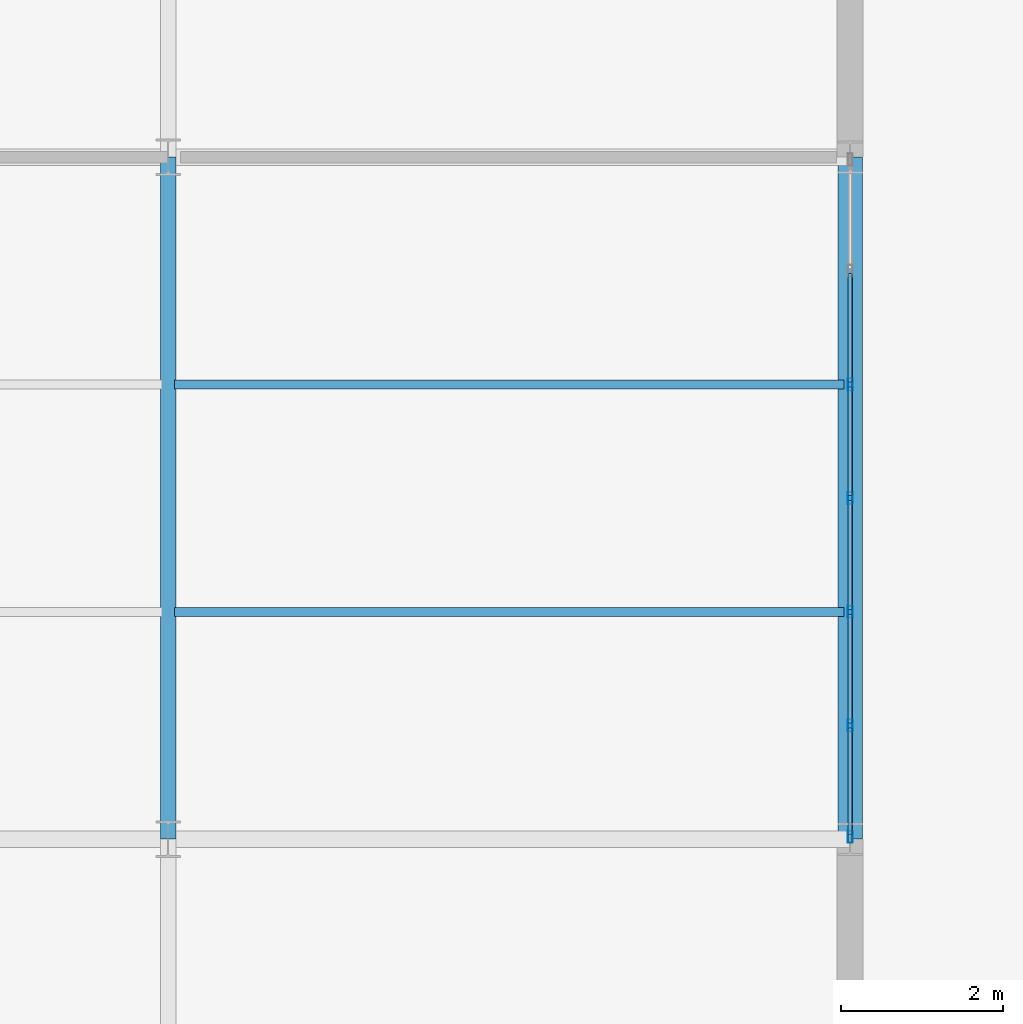
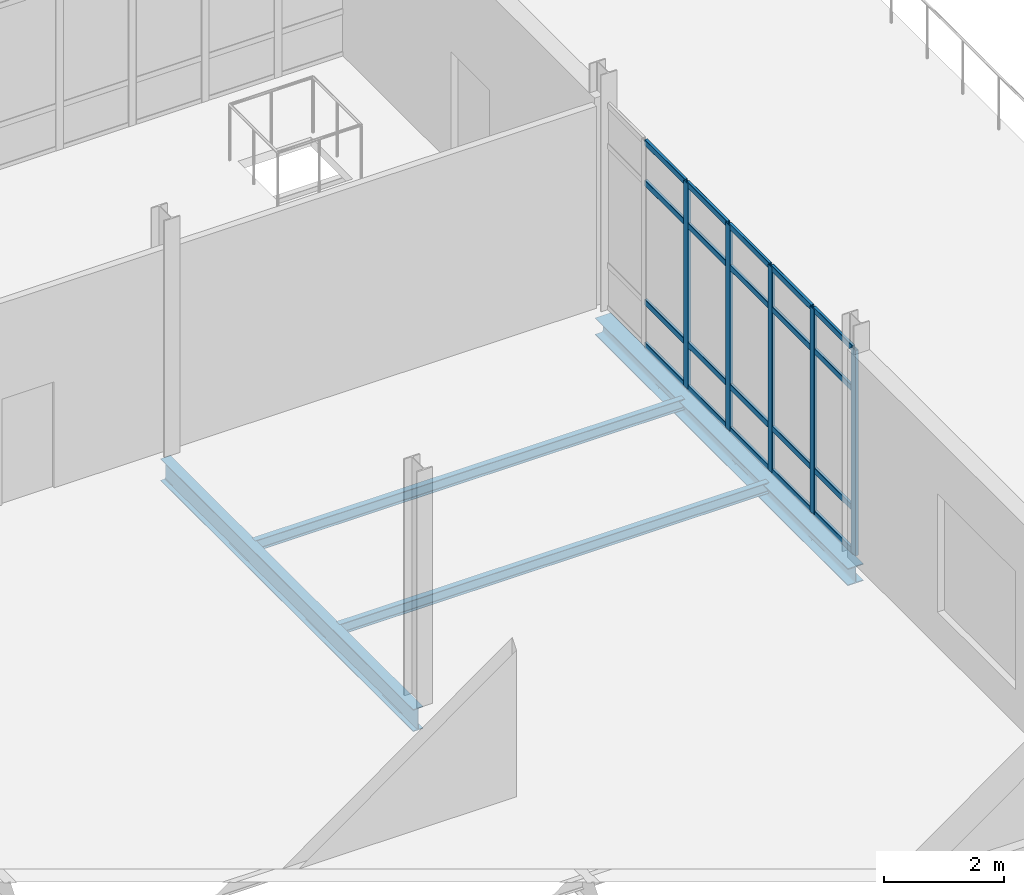
# One storey, part 14 of 28: 25 members, 4 beams, 1 element without a shape of its own.
"""IFC4 building model written with IfcOpenShell, lengths in metres."""

from ifc_helpers import new_model, si_unit, direction, frame, origin, origin_2d, place, context, subcontext, project, spatial, hollow_rectangle, i_section, extrude, material, layer, layer_set, material_profile, profile_set, type_object, element, aggregate, save


model = new_model("IFC4")

# Units and contexts
model_context = context("Model", 3, precision=1e-05, world=origin(), true_north=direction((0.0, 1.0)))
body_context = subcontext(model_context, "Body", "Model", "MODEL_VIEW")
ifc_project = project(units=[si_unit("LENGTHUNIT", "METRE"), si_unit("AREAUNIT", "SQUARE_METRE"), si_unit("VOLUMEUNIT", "CUBIC_METRE"), si_unit("PLANEANGLEUNIT", "RADIAN"), si_unit("MASSUNIT", "GRAM", prefix="KILO")], contexts=[model_context])

# Site, building, storey
site_placement = place(None, origin())
site = spatial("IfcSite", under=ifc_project, at=site_placement, CompositionType="ELEMENT")
building_placement = place(site_placement, origin())
building = spatial("IfcBuilding", under=site, at=building_placement, Name="Qalvenar Corner Mobility Hub", CompositionType="ELEMENT")
storey_placement = place(building_placement, frame((0.0, 0.0, 21.60009765625)))
storey = spatial("IfcBuildingStorey", under=building, at=storey_placement, Name="L05", CompositionType="ELEMENT", Elevation=21.60009765625)

# Beams
ifc_material_1 = material(Name="Steel S355", Category="steel")
ifc_material_profile_1 = material_profile(ifc_material_1, i_section(OverallWidth=0.18994140625, OverallDepth=0.449951171875, WebThickness=0.009521484375, FlangeThickness=0.0146484375, FilletRadius=0.02099609375, at=origin_2d()), Name="IPE450")
ifc_profile_set_1 = profile_set([ifc_material_profile_1], Name="Steel S355")
beam_type_1 = type_object("IfcBeamType", Name="BM-IPE450", PredefinedType="BEAM", material=ifc_profile_set_1)
beam_1_placement = place(storey_placement, frame((33.60009765625, 25.199951171875, -0.405029296875), z_axis=(0.0, 1.0, 0.0), x_axis=(-1.0, 0.0, 0.0)))
element("IfcBeam", 1, at=beam_1_placement, inside=storey, type_object=beam_type_1, Name="Primary Steel Girder GY-2998", PredefinedType="BEAM", context=body_context, shape_type="SweptSolid", body=[
    extrude(i_section(OverallWidth=0.18994140625, OverallDepth=0.449951171875, WebThickness=0.009521484375, FlangeThickness=0.0146484375, FilletRadius=0.02099609375, at=origin_2d()), origin(), (0.0, 0.0, 1.0), 8.400146484375),
])
ifc_material_profile_2 = material_profile(ifc_material_1, i_section(OverallWidth=0.110107421875, OverallDepth=0.219970703125, WebThickness=0.005859375, FlangeThickness=0.00927734375, FilletRadius=0.011962890625, at=origin_2d()), Name="IPE220")
ifc_profile_set_2 = profile_set([ifc_material_profile_2], Name="Steel S355")
beam_type_2 = type_object("IfcBeamType", Name="BM-JST220", PredefinedType="JOIST", material=ifc_profile_set_2)
for number, where, z_axis, x_axis, name in (
    (2, (33.677978515625, 28.0, -0.2900390625), (1.0, 0.0, 0.0), (0.0, 1.0, 0.0), "Composite Floor Joist J-3048"),
    (3, (33.677978515625, 30.800048828125, -0.2900390625), (1.0, 0.0, 0.0), (0.0, 1.0, 0.0), "Composite Floor Joist J-3049"),
):
    element("IfcBeam", number, at=place(storey_placement, frame(where, z_axis=z_axis, x_axis=x_axis)), inside=storey, type_object=beam_type_2, Name=name, PredefinedType="JOIST", context=body_context, shape_type="SweptSolid", body=[
        extrude(i_section(OverallWidth=0.110107421875, OverallDepth=0.219970703125, WebThickness=0.005859375, FlangeThickness=0.00927734375, FilletRadius=0.011962890625, at=origin_2d()), origin(), (0.0, 0.0, 1.0), 8.244140625),
    ])
ifc_material_profile_3 = material_profile(ifc_material_1, i_section(OverallWidth=0.300048828125, OverallDepth=0.35009765625, WebThickness=0.010009765625, FlangeThickness=0.017578125, FilletRadius=0.027099609375, at=origin_2d()), Name="HEA360")
ifc_profile_set_3 = profile_set([ifc_material_profile_3], Name="Steel S355")
beam_type_3 = type_object("IfcBeamType", Name="BM-SPN360", PredefinedType="SPANDREL", material=ifc_profile_set_3)
beam_2_placement = place(storey_placement, frame((42.0, 25.199951171875, -0.4169921875), z_axis=(0.0, 1.0, 0.0), x_axis=(-1.0, 0.0, 0.0)))
element("IfcBeam", 4, at=beam_2_placement, inside=storey, type_object=beam_type_3, Name="Primary Steel Girder GY-3003", PredefinedType="SPANDREL", context=body_context, shape_type="SweptSolid", body=[
    extrude(i_section(OverallWidth=0.300048828125, OverallDepth=0.35009765625, WebThickness=0.010009765625, FlangeThickness=0.017578125, FilletRadius=0.027099609375, at=origin_2d()), origin(), (0.0, 0.0, 1.0), 8.400146484375),
])

# Curtain wall, members
ifc_material_2 = material(Name="Anodised Aluminium and Low-E Glazing", Category="aluminium")
ifc_layer = layer(ifc_material_2, 0.14990234375)
ifc_layer_set = layer_set([ifc_layer], Name="Anodised Aluminium and Low-E Glazing")
curtain_wall_type = type_object("IfcCurtainWallType", Name="CW-SPT-84X44", PredefinedType="NOTDEFINED", material=ifc_layer_set)
curtain_wall_placement = place(storey_placement, origin())
curtain_wall = element("IfcCurtainWall", 5, at=curtain_wall_placement, inside=storey, type_object=curtain_wall_type, Name="Glazed Curtain Wall CW-V3-L05-E3", PredefinedType="NOTDEFINED")
ifc_material_3 = material(Name="Anodised Aluminium 6063-T6", Category="aluminium")
ifc_material_profile_4 = material_profile(ifc_material_3, hollow_rectangle(XDim=0.06005859375, YDim=0.14990234375, WallThickness=0.00390625, InnerFilletRadius=0.00390625, OuterFilletRadius=0.008056640625, at=origin_2d()), Name="RHS150x60x4")
ifc_profile_set_4 = profile_set([ifc_material_profile_4], Name="Anodised Aluminium 6063-T6")
member_type_1 = type_object("IfcMemberType", Name="CW-MUL150", PredefinedType="MULLION", material=ifc_profile_set_4)
member_1_placement = place(storey_placement, frame((42.0, 25.22998046875, 0.0), z_axis=(0.0, 0.0, 1.0), x_axis=(-1.0, 0.0, 0.0)))
member_1 = element("IfcMember", 6, at=member_1_placement, type_object=member_type_1, Name="CW-06 mullion 1", PredefinedType="MULLION", context=body_context, shape_type="SweptSolid", body=[
    extrude(hollow_rectangle(XDim=0.06005859375, YDim=0.14990234375, WallThickness=0.00390625, InnerFilletRadius=0.00390625, OuterFilletRadius=0.008056640625, at=origin_2d()), origin(), (0.0, 0.0, 1.0), 4.169921875),
])
member_2_placement = place(storey_placement, frame((42.0, 26.60009765625, 0.0), z_axis=(0.0, 0.0, 1.0), x_axis=(-1.0, 0.0, 0.0)))
member_2 = element("IfcMember", 7, at=member_2_placement, type_object=member_type_1, Name="CW-06 mullion 2", PredefinedType="MULLION", context=body_context, shape_type="SweptSolid", body=[
    extrude(hollow_rectangle(XDim=0.06005859375, YDim=0.14990234375, WallThickness=0.00390625, InnerFilletRadius=0.00390625, OuterFilletRadius=0.008056640625, at=origin_2d()), origin(), (0.0, 0.0, 1.0), 4.169921875),
])
member_3_placement = place(storey_placement, frame((42.0, 28.0, 0.0), z_axis=(0.0, 0.0, 1.0), x_axis=(-1.0, 0.0, 0.0)))
member_3 = element("IfcMember", 8, at=member_3_placement, type_object=member_type_1, Name="CW-06 mullion 3", PredefinedType="MULLION", context=body_context, shape_type="SweptSolid", body=[
    extrude(hollow_rectangle(XDim=0.06005859375, YDim=0.14990234375, WallThickness=0.00390625, InnerFilletRadius=0.00390625, OuterFilletRadius=0.008056640625, at=origin_2d()), origin(), (0.0, 0.0, 1.0), 4.169921875),
])
member_4_placement = place(storey_placement, frame((42.0, 29.39990234375, 0.0), z_axis=(0.0, 0.0, 1.0), x_axis=(-1.0, 0.0, 0.0)))
member_4 = element("IfcMember", 9, at=member_4_placement, type_object=member_type_1, Name="CW-06 mullion 4", PredefinedType="MULLION", context=body_context, shape_type="SweptSolid", body=[
    extrude(hollow_rectangle(XDim=0.06005859375, YDim=0.14990234375, WallThickness=0.00390625, InnerFilletRadius=0.00390625, OuterFilletRadius=0.008056640625, at=origin_2d()), origin(), (0.0, 0.0, 1.0), 4.169921875),
])
member_5_placement = place(storey_placement, frame((42.0, 30.800048828125, 0.0), z_axis=(0.0, 0.0, 1.0), x_axis=(-1.0, 0.0, 0.0)))
member_5 = element("IfcMember", 10, at=member_5_placement, type_object=member_type_1, Name="CW-06 mullion 5", PredefinedType="MULLION", context=body_context, shape_type="SweptSolid", body=[
    extrude(hollow_rectangle(XDim=0.06005859375, YDim=0.14990234375, WallThickness=0.00390625, InnerFilletRadius=0.00390625, OuterFilletRadius=0.008056640625, at=origin_2d()), origin(), (0.0, 0.0, 1.0), 4.169921875),
])
ifc_material_profile_5 = material_profile(ifc_material_3, hollow_rectangle(XDim=0.054931640625, YDim=0.1201171875, WallThickness=0.00341796875, InnerFilletRadius=0.00341796875, OuterFilletRadius=0.007080078125, at=origin_2d()), Name="RHS120x55x3.5")
ifc_profile_set_5 = profile_set([ifc_material_profile_5], Name="Anodised Aluminium 6063-T6")
member_type_2 = type_object("IfcMemberType", Name="CW-TRN120", PredefinedType="USERDEFINED", material=ifc_profile_set_5)
member_6_placement = place(storey_placement, frame((42.0, 25.260009765625, 0.02734375), z_axis=(0.0, 1.0, 0.0), x_axis=(-1.0, 0.0, 0.0)))
member_6 = element("IfcMember", 11, at=member_6_placement, type_object=member_type_2, Name="CW-06 transom 1.1", ObjectType="TRANSOM", PredefinedType="USERDEFINED", context=body_context, shape_type="SweptSolid", body=[
    extrude(hollow_rectangle(XDim=0.054931640625, YDim=0.1201171875, WallThickness=0.00341796875, InnerFilletRadius=0.00341796875, OuterFilletRadius=0.007080078125, at=origin_2d()), origin(), (0.0, 0.0, 1.0), 1.31005859375),
])
member_7_placement = place(storey_placement, frame((42.0, 25.260009765625, 0.89990234375), z_axis=(0.0, 1.0, 0.0), x_axis=(-1.0, 0.0, 0.0)))
member_7 = element("IfcMember", 12, at=member_7_placement, type_object=member_type_2, Name="CW-06 transom 1.2", ObjectType="TRANSOM", PredefinedType="USERDEFINED", context=body_context, shape_type="SweptSolid", body=[
    extrude(hollow_rectangle(XDim=0.054931640625, YDim=0.1201171875, WallThickness=0.00341796875, InnerFilletRadius=0.00341796875, OuterFilletRadius=0.007080078125, at=origin_2d()), origin(), (0.0, 0.0, 1.0), 1.31005859375),
])
member_8_placement = place(storey_placement, frame((42.0, 25.260009765625, 3.31982421875), z_axis=(0.0, 1.0, 0.0), x_axis=(-1.0, 0.0, 0.0)))
member_8 = element("IfcMember", 13, at=member_8_placement, type_object=member_type_2, Name="CW-06 transom 1.3", ObjectType="TRANSOM", PredefinedType="USERDEFINED", context=body_context, shape_type="SweptSolid", body=[
    extrude(hollow_rectangle(XDim=0.054931640625, YDim=0.1201171875, WallThickness=0.00341796875, InnerFilletRadius=0.00341796875, OuterFilletRadius=0.007080078125, at=origin_2d()), origin(), (0.0, 0.0, 1.0), 1.31005859375),
])
member_9_placement = place(storey_placement, frame((42.0, 25.260009765625, 4.142333984375), z_axis=(0.0, 1.0, 0.0), x_axis=(-1.0, 0.0, 0.0)))
member_9 = element("IfcMember", 14, at=member_9_placement, type_object=member_type_2, Name="CW-06 transom 1.4", ObjectType="TRANSOM", PredefinedType="USERDEFINED", context=body_context, shape_type="SweptSolid", body=[
    extrude(hollow_rectangle(XDim=0.054931640625, YDim=0.1201171875, WallThickness=0.00341796875, InnerFilletRadius=0.00341796875, OuterFilletRadius=0.007080078125, at=origin_2d()), origin(), (0.0, 0.0, 1.0), 1.31005859375),
])
member_10_placement = place(storey_placement, frame((42.0, 26.6298828125, 0.02734375), z_axis=(0.0, 1.0, 0.0), x_axis=(-1.0, 0.0, 0.0)))
member_10 = element("IfcMember", 15, at=member_10_placement, type_object=member_type_2, Name="CW-06 transom 2.1", ObjectType="TRANSOM", PredefinedType="USERDEFINED", context=body_context, shape_type="SweptSolid", body=[
    extrude(hollow_rectangle(XDim=0.054931640625, YDim=0.1201171875, WallThickness=0.00341796875, InnerFilletRadius=0.00341796875, OuterFilletRadius=0.007080078125, at=origin_2d()), origin(), (0.0, 0.0, 1.0), 1.340087890625),
])
member_11_placement = place(storey_placement, frame((42.0, 26.6298828125, 0.89990234375), z_axis=(0.0, 1.0, 0.0), x_axis=(-1.0, 0.0, 0.0)))
member_11 = element("IfcMember", 16, at=member_11_placement, type_object=member_type_2, Name="CW-06 transom 2.2", ObjectType="TRANSOM", PredefinedType="USERDEFINED", context=body_context, shape_type="SweptSolid", body=[
    extrude(hollow_rectangle(XDim=0.054931640625, YDim=0.1201171875, WallThickness=0.00341796875, InnerFilletRadius=0.00341796875, OuterFilletRadius=0.007080078125, at=origin_2d()), origin(), (0.0, 0.0, 1.0), 1.340087890625),
])
member_12_placement = place(storey_placement, frame((42.0, 26.6298828125, 3.31982421875), z_axis=(0.0, 1.0, 0.0), x_axis=(-1.0, 0.0, 0.0)))
member_12 = element("IfcMember", 17, at=member_12_placement, type_object=member_type_2, Name="CW-06 transom 2.3", ObjectType="TRANSOM", PredefinedType="USERDEFINED", context=body_context, shape_type="SweptSolid", body=[
    extrude(hollow_rectangle(XDim=0.054931640625, YDim=0.1201171875, WallThickness=0.00341796875, InnerFilletRadius=0.00341796875, OuterFilletRadius=0.007080078125, at=origin_2d()), origin(), (0.0, 0.0, 1.0), 1.340087890625),
])
member_13_placement = place(storey_placement, frame((42.0, 26.6298828125, 4.142333984375), z_axis=(0.0, 1.0, 0.0), x_axis=(-1.0, 0.0, 0.0)))
member_13 = element("IfcMember", 18, at=member_13_placement, type_object=member_type_2, Name="CW-06 transom 2.4", ObjectType="TRANSOM", PredefinedType="USERDEFINED", context=body_context, shape_type="SweptSolid", body=[
    extrude(hollow_rectangle(XDim=0.054931640625, YDim=0.1201171875, WallThickness=0.00341796875, InnerFilletRadius=0.00341796875, OuterFilletRadius=0.007080078125, at=origin_2d()), origin(), (0.0, 0.0, 1.0), 1.340087890625),
])
member_14_placement = place(storey_placement, frame((42.0, 28.030029296875, 0.02734375), z_axis=(0.0, 1.0, 0.0), x_axis=(-1.0, 0.0, 0.0)))
member_14 = element("IfcMember", 19, at=member_14_placement, type_object=member_type_2, Name="CW-06 transom 3.1", ObjectType="TRANSOM", PredefinedType="USERDEFINED", context=body_context, shape_type="SweptSolid", body=[
    extrude(hollow_rectangle(XDim=0.054931640625, YDim=0.1201171875, WallThickness=0.00341796875, InnerFilletRadius=0.00341796875, OuterFilletRadius=0.007080078125, at=origin_2d()), origin(), (0.0, 0.0, 1.0), 1.340087890625),
])
member_15_placement = place(storey_placement, frame((42.0, 28.030029296875, 0.89990234375), z_axis=(0.0, 1.0, 0.0), x_axis=(-1.0, 0.0, 0.0)))
member_15 = element("IfcMember", 20, at=member_15_placement, type_object=member_type_2, Name="CW-06 transom 3.2", ObjectType="TRANSOM", PredefinedType="USERDEFINED", context=body_context, shape_type="SweptSolid", body=[
    extrude(hollow_rectangle(XDim=0.054931640625, YDim=0.1201171875, WallThickness=0.00341796875, InnerFilletRadius=0.00341796875, OuterFilletRadius=0.007080078125, at=origin_2d()), origin(), (0.0, 0.0, 1.0), 1.340087890625),
])
member_16_placement = place(storey_placement, frame((42.0, 28.030029296875, 3.31982421875), z_axis=(0.0, 1.0, 0.0), x_axis=(-1.0, 0.0, 0.0)))
member_16 = element("IfcMember", 21, at=member_16_placement, type_object=member_type_2, Name="CW-06 transom 3.3", ObjectType="TRANSOM", PredefinedType="USERDEFINED", context=body_context, shape_type="SweptSolid", body=[
    extrude(hollow_rectangle(XDim=0.054931640625, YDim=0.1201171875, WallThickness=0.00341796875, InnerFilletRadius=0.00341796875, OuterFilletRadius=0.007080078125, at=origin_2d()), origin(), (0.0, 0.0, 1.0), 1.340087890625),
])
member_17_placement = place(storey_placement, frame((42.0, 28.030029296875, 4.142333984375), z_axis=(0.0, 1.0, 0.0), x_axis=(-1.0, 0.0, 0.0)))
member_17 = element("IfcMember", 22, at=member_17_placement, type_object=member_type_2, Name="CW-06 transom 3.4", ObjectType="TRANSOM", PredefinedType="USERDEFINED", context=body_context, shape_type="SweptSolid", body=[
    extrude(hollow_rectangle(XDim=0.054931640625, YDim=0.1201171875, WallThickness=0.00341796875, InnerFilletRadius=0.00341796875, OuterFilletRadius=0.007080078125, at=origin_2d()), origin(), (0.0, 0.0, 1.0), 1.340087890625),
])
member_18_placement = place(storey_placement, frame((42.0, 29.429931640625, 0.02734375), z_axis=(0.0, 1.0, 0.0), x_axis=(-1.0, 0.0, 0.0)))
member_18 = element("IfcMember", 23, at=member_18_placement, type_object=member_type_2, Name="CW-06 transom 4.1", ObjectType="TRANSOM", PredefinedType="USERDEFINED", context=body_context, shape_type="SweptSolid", body=[
    extrude(hollow_rectangle(XDim=0.054931640625, YDim=0.1201171875, WallThickness=0.00341796875, InnerFilletRadius=0.00341796875, OuterFilletRadius=0.007080078125, at=origin_2d()), origin(), (0.0, 0.0, 1.0), 1.340087890625),
])
member_19_placement = place(storey_placement, frame((42.0, 29.429931640625, 0.89990234375), z_axis=(0.0, 1.0, 0.0), x_axis=(-1.0, 0.0, 0.0)))
member_19 = element("IfcMember", 24, at=member_19_placement, type_object=member_type_2, Name="CW-06 transom 4.2", ObjectType="TRANSOM", PredefinedType="USERDEFINED", context=body_context, shape_type="SweptSolid", body=[
    extrude(hollow_rectangle(XDim=0.054931640625, YDim=0.1201171875, WallThickness=0.00341796875, InnerFilletRadius=0.00341796875, OuterFilletRadius=0.007080078125, at=origin_2d()), origin(), (0.0, 0.0, 1.0), 1.340087890625),
])
member_20_placement = place(storey_placement, frame((42.0, 29.429931640625, 3.31982421875), z_axis=(0.0, 1.0, 0.0), x_axis=(-1.0, 0.0, 0.0)))
member_20 = element("IfcMember", 25, at=member_20_placement, type_object=member_type_2, Name="CW-06 transom 4.3", ObjectType="TRANSOM", PredefinedType="USERDEFINED", context=body_context, shape_type="SweptSolid", body=[
    extrude(hollow_rectangle(XDim=0.054931640625, YDim=0.1201171875, WallThickness=0.00341796875, InnerFilletRadius=0.00341796875, OuterFilletRadius=0.007080078125, at=origin_2d()), origin(), (0.0, 0.0, 1.0), 1.340087890625),
])
member_21_placement = place(storey_placement, frame((42.0, 29.429931640625, 4.142333984375), z_axis=(0.0, 1.0, 0.0), x_axis=(-1.0, 0.0, 0.0)))
member_21 = element("IfcMember", 26, at=member_21_placement, type_object=member_type_2, Name="CW-06 transom 4.4", ObjectType="TRANSOM", PredefinedType="USERDEFINED", context=body_context, shape_type="SweptSolid", body=[
    extrude(hollow_rectangle(XDim=0.054931640625, YDim=0.1201171875, WallThickness=0.00341796875, InnerFilletRadius=0.00341796875, OuterFilletRadius=0.007080078125, at=origin_2d()), origin(), (0.0, 0.0, 1.0), 1.340087890625),
])
member_22_placement = place(storey_placement, frame((42.0, 30.830078125, 0.02734375), z_axis=(0.0, 1.0, 0.0), x_axis=(-1.0, 0.0, 0.0)))
member_22 = element("IfcMember", 27, at=member_22_placement, type_object=member_type_2, Name="CW-06 transom 5.1", ObjectType="TRANSOM", PredefinedType="USERDEFINED", context=body_context, shape_type="SweptSolid", body=[
    extrude(hollow_rectangle(XDim=0.054931640625, YDim=0.1201171875, WallThickness=0.00341796875, InnerFilletRadius=0.00341796875, OuterFilletRadius=0.007080078125, at=origin_2d()), origin(), (0.0, 0.0, 1.0), 1.33984375),
])
member_23_placement = place(storey_placement, frame((42.0, 30.830078125, 0.89990234375), z_axis=(0.0, 1.0, 0.0), x_axis=(-1.0, 0.0, 0.0)))
member_23 = element("IfcMember", 28, at=member_23_placement, type_object=member_type_2, Name="CW-06 transom 5.2", ObjectType="TRANSOM", PredefinedType="USERDEFINED", context=body_context, shape_type="SweptSolid", body=[
    extrude(hollow_rectangle(XDim=0.054931640625, YDim=0.1201171875, WallThickness=0.00341796875, InnerFilletRadius=0.00341796875, OuterFilletRadius=0.007080078125, at=origin_2d()), origin(), (0.0, 0.0, 1.0), 1.33984375),
])
member_24_placement = place(storey_placement, frame((42.0, 30.830078125, 3.31982421875), z_axis=(0.0, 1.0, 0.0), x_axis=(-1.0, 0.0, 0.0)))
member_24 = element("IfcMember", 29, at=member_24_placement, type_object=member_type_2, Name="CW-06 transom 5.3", ObjectType="TRANSOM", PredefinedType="USERDEFINED", context=body_context, shape_type="SweptSolid", body=[
    extrude(hollow_rectangle(XDim=0.054931640625, YDim=0.1201171875, WallThickness=0.00341796875, InnerFilletRadius=0.00341796875, OuterFilletRadius=0.007080078125, at=origin_2d()), origin(), (0.0, 0.0, 1.0), 1.33984375),
])
member_25_placement = place(storey_placement, frame((42.0, 30.830078125, 4.142333984375), z_axis=(0.0, 1.0, 0.0), x_axis=(-1.0, 0.0, 0.0)))
member_25 = element("IfcMember", 30, at=member_25_placement, type_object=member_type_2, Name="CW-06 transom 5.4", ObjectType="TRANSOM", PredefinedType="USERDEFINED", context=body_context, shape_type="SweptSolid", body=[
    extrude(hollow_rectangle(XDim=0.054931640625, YDim=0.1201171875, WallThickness=0.00341796875, InnerFilletRadius=0.00341796875, OuterFilletRadius=0.007080078125, at=origin_2d()), origin(), (0.0, 0.0, 1.0), 1.33984375),
])
aggregate(curtain_wall, [member_1, member_2, member_3, member_4, member_5, member_6, member_7, member_8, member_9, member_10, member_11, member_12, member_13, member_14, member_15, member_16, member_17, member_18, member_19, member_20, member_21, member_22, member_23, member_24, member_25])

save(model, "model.ifc")
